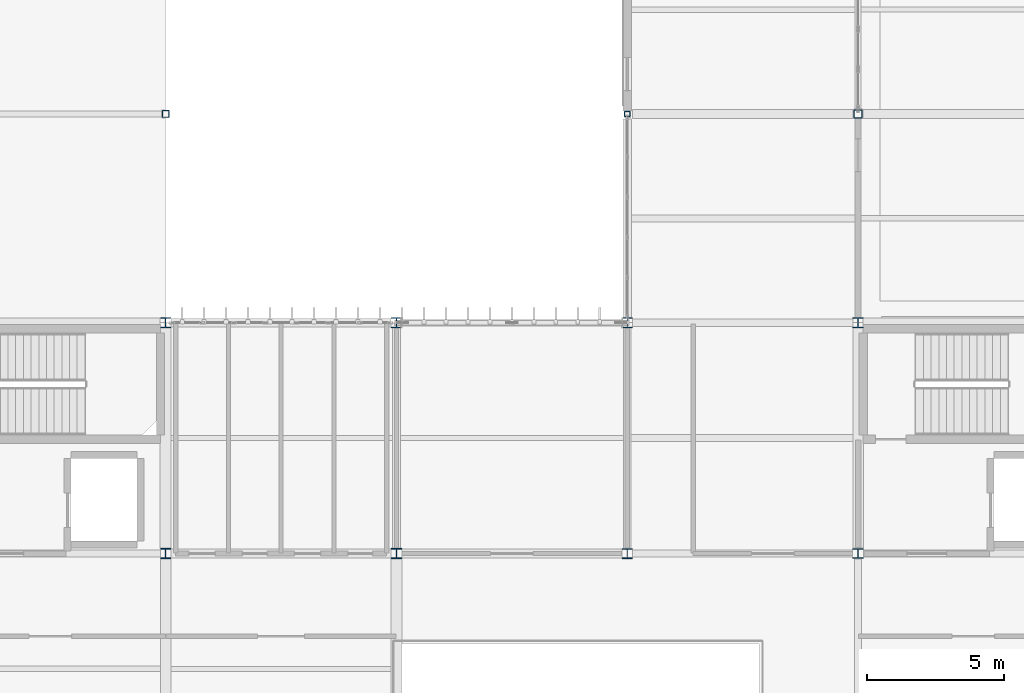
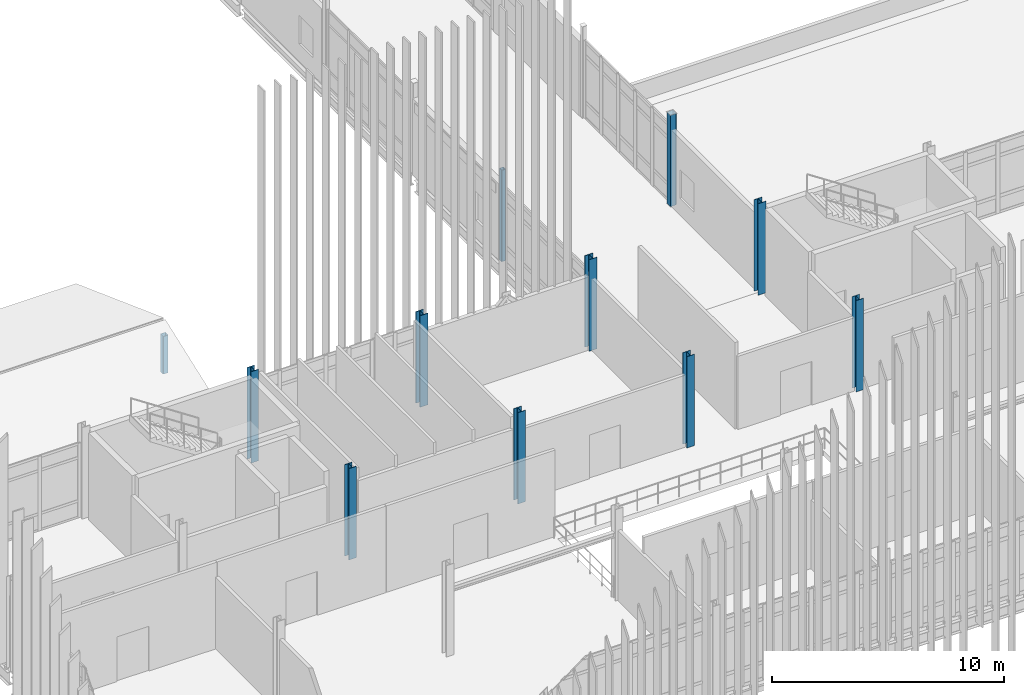
# One storey, part 3 of 153: 11 columns.
"""IFC4 building model written with IfcOpenShell, lengths in metres."""

from ifc_helpers import new_model, si_unit, direction, frame, origin, origin_2d, place, context, subcontext, project, spatial, hollow_rectangle, i_section, extrude, material, material_profile, profile_set, type_object, element, save


model = new_model("IFC4")

# Units and contexts
model_context = context("Model", 3, precision=1e-05, world=origin(), true_north=direction((0.0, 1.0)))
body_context = subcontext(model_context, "Body", "Model", "MODEL_VIEW")
ifc_project = project(units=[si_unit("LENGTHUNIT", "METRE"), si_unit("AREAUNIT", "SQUARE_METRE"), si_unit("VOLUMEUNIT", "CUBIC_METRE"), si_unit("PLANEANGLEUNIT", "RADIAN"), si_unit("MASSUNIT", "GRAM", prefix="KILO")], contexts=[model_context])

# Site, building, storey
site_placement = place(None, origin())
site = spatial("IfcSite", under=ifc_project, at=site_placement, CompositionType="ELEMENT")
building_placement = place(site_placement, origin())
building = spatial("IfcBuilding", under=site, at=building_placement, Name="Calvrana Isthmian Art Gallery", CompositionType="ELEMENT")
storey_placement = place(building_placement, frame((0.0, 0.0, 10.199951171875)))
storey = spatial("IfcBuildingStorey", under=building, at=storey_placement, Name="L02", CompositionType="ELEMENT", Elevation=10.199951171875)

# Columns
ifc_material_1 = material(Name="Steel ASTM A500 Gr C", Category="steel")
ifc_material_profile_1 = material_profile(ifc_material_1, hollow_rectangle(XDim=0.203125, YDim=0.203125, WallThickness=0.0126953125, OuterFilletRadius=0.02490234375, at=origin_2d()), Name="HSS203X203X12.7")
ifc_profile_set_1 = profile_set([ifc_material_profile_1], Name="Steel ASTM A500 Gr C")
column_type_1 = type_object("IfcColumnType", Name="COL-STL-HSS203X203X12.7", PredefinedType="COLUMN", material=ifc_profile_set_1)
column_1_placement = place(storey_placement, frame((55.199951171875, 54.39990234375, 0.0), z_axis=(0.0, 0.0, 1.0), x_axis=(1.0, 0.0, 0.0)))
element("IfcColumn", 1, at=column_1_placement, inside=storey, type_object=column_type_1, Name="Column 08/H L02", PredefinedType="COLUMN", context=body_context, shape_type="SweptSolid", body=[
    extrude(hollow_rectangle(XDim=0.203125, YDim=0.203125, WallThickness=0.0126953125, OuterFilletRadius=0.02490234375, at=origin_2d()), origin(), (0.0, 0.0, 1.0), 4.800048828125),
])
ifc_material_profile_2 = material_profile(ifc_material_1, hollow_rectangle(XDim=0.25390625, YDim=0.25390625, WallThickness=0.0126953125, OuterFilletRadius=0.02490234375, at=origin_2d()), Name="HSS254X254X12.7")
ifc_profile_set_2 = profile_set([ifc_material_profile_2], Name="Steel ASTM A500 Gr C")
column_type_2 = type_object("IfcColumnType", Name="COL-STL-HSS254X254X12.7", PredefinedType="COLUMN", material=ifc_profile_set_2)
column_2_placement = place(storey_placement, frame((38.39990234375, 54.39990234375, 0.0), z_axis=(0.0, 0.0, 1.0), x_axis=(1.0, 0.0, 0.0)))
element("IfcColumn", 2, at=column_2_placement, inside=storey, type_object=column_type_2, Name="Roof ridge post L02-6", PredefinedType="COLUMN", context=body_context, shape_type="SweptSolid", body=[
    extrude(hollow_rectangle(XDim=0.25390625, YDim=0.25390625, WallThickness=0.0126953125, OuterFilletRadius=0.02490234375, at=origin_2d()), origin(), (0.0, 0.0, 1.0), 1.97998046875),
])
ifc_material_profile_3 = material_profile(ifc_material_1, hollow_rectangle(XDim=0.3046875, YDim=0.3046875, WallThickness=0.015869140625, OuterFilletRadius=0.031982421875, at=origin_2d()), Name="HSS305X305X15.9")
ifc_profile_set_3 = profile_set([ifc_material_profile_3], Name="Steel ASTM A500 Gr C")
column_type_3 = type_object("IfcColumnType", Name="COL-STL-HSS305X305X15.9", PredefinedType="COLUMN", material=ifc_profile_set_3)
column_3_placement = place(storey_placement, frame((63.60009765625, 54.39990234375, 0.0), z_axis=(0.0, 0.0, 1.0), x_axis=(1.0, 0.0, 0.0)))
element("IfcColumn", 3, at=column_3_placement, inside=storey, type_object=column_type_3, Name="Column 09/H L02", PredefinedType="COLUMN", context=body_context, shape_type="SweptSolid", body=[
    extrude(hollow_rectangle(XDim=0.3046875, YDim=0.3046875, WallThickness=0.015869140625, OuterFilletRadius=0.031982421875, at=origin_2d()), origin(), (0.0, 0.0, 1.0), 4.800048828125),
])
ifc_material_2 = material(Name="Steel ASTM A992 Gr 50", Category="steel")
ifc_material_profile_4 = material_profile(ifc_material_2, i_section(OverallWidth=0.37109375, OverallDepth=0.363037109375, WebThickness=0.01318359375, FlangeThickness=0.021728515625, FilletRadius=0.02490234375, at=origin_2d()), Name="W14X109")
ifc_profile_set_4 = profile_set([ifc_material_profile_4], Name="Steel ASTM A992 Gr 50")
column_type_4 = type_object("IfcColumnType", Name="COL-STL-W14X109", PredefinedType="COLUMN", material=ifc_profile_set_4)
column_4_placement = place(storey_placement, frame((55.199951171875, 38.39990234375, 0.0), z_axis=(0.0, 0.0, 1.0), x_axis=(1.0, 0.0, 0.0)))
element("IfcColumn", 4, at=column_4_placement, inside=storey, type_object=column_type_4, Name="Column 08/F L02", PredefinedType="COLUMN", context=body_context, shape_type="SweptSolid", body=[
    extrude(i_section(OverallWidth=0.37109375, OverallDepth=0.363037109375, WebThickness=0.01318359375, FlangeThickness=0.021728515625, FilletRadius=0.02490234375, at=origin_2d()), origin(), (0.0, 0.0, 1.0), 4.800048828125),
])
ifc_material_profile_5 = material_profile(ifc_material_2, i_section(OverallWidth=0.373046875, OverallDepth=0.367919921875, WebThickness=0.014892578125, FlangeThickness=0.02392578125, FilletRadius=0.02490234375, at=origin_2d()), Name="W14X120")
ifc_profile_set_5 = profile_set([ifc_material_profile_5], Name="Steel ASTM A992 Gr 50")
column_type_5 = type_object("IfcColumnType", Name="COL-STL-W14X120", PredefinedType="COLUMN", material=ifc_profile_set_5)
column_5_placement = place(storey_placement, frame((46.800048828125, 38.39990234375, 0.0), z_axis=(0.0, 0.0, 1.0), x_axis=(1.0, 0.0, 0.0)))
element("IfcColumn", 5, at=column_5_placement, inside=storey, type_object=column_type_5, Name="Column 07/F L02", PredefinedType="COLUMN", context=body_context, shape_type="SweptSolid", body=[
    extrude(i_section(OverallWidth=0.373046875, OverallDepth=0.367919921875, WebThickness=0.014892578125, FlangeThickness=0.02392578125, FilletRadius=0.02490234375, at=origin_2d()), origin(), (0.0, 0.0, 1.0), 4.800048828125),
])
ifc_material_profile_6 = material_profile(ifc_material_2, i_section(OverallWidth=0.373046875, OverallDepth=0.373046875, WebThickness=0.016357421875, FlangeThickness=0.026123046875, FilletRadius=0.02490234375, at=origin_2d()), Name="W14X132")
ifc_profile_set_6 = profile_set([ifc_material_profile_6], Name="Steel ASTM A992 Gr 50")
column_type_6 = type_object("IfcColumnType", Name="COL-STL-W14X132", PredefinedType="COLUMN", material=ifc_profile_set_6)
for number, where, z_axis, x_axis, name in (
    (6, (38.39990234375, 38.39990234375, 0.0), (0.0, 0.0, 1.0), (1.0, 0.0, 0.0), "Column 06/F L02"),
    (7, (38.39990234375, 46.800048828125, 0.0), (0.0, 0.0, 1.0), (1.0, 0.0, 0.0), "Column 06/G L02"),
):
    element("IfcColumn", number, at=place(storey_placement, frame(where, z_axis=z_axis, x_axis=x_axis)), inside=storey, type_object=column_type_6, Name=name, PredefinedType="COLUMN", context=body_context, shape_type="SweptSolid", body=[
        extrude(i_section(OverallWidth=0.373046875, OverallDepth=0.373046875, WebThickness=0.016357421875, FlangeThickness=0.026123046875, FilletRadius=0.02490234375, at=origin_2d()), origin(), (0.0, 0.0, 1.0), 4.800048828125),
    ])
ifc_material_profile_7 = material_profile(ifc_material_2, i_section(OverallWidth=0.39404296875, OverallDepth=0.3759765625, WebThickness=0.017333984375, FlangeThickness=0.027587890625, FilletRadius=0.02490234375, at=origin_2d()), Name="W14X145")
ifc_profile_set_7 = profile_set([ifc_material_profile_7], Name="Steel ASTM A992 Gr 50")
column_type_7 = type_object("IfcColumnType", Name="COL-STL-W14X145", PredefinedType="COLUMN", material=ifc_profile_set_7)
column_6_placement = place(storey_placement, frame((63.60009765625, 46.800048828125, 0.0), z_axis=(0.0, 0.0, 1.0), x_axis=(1.0, 0.0, 0.0)))
element("IfcColumn", 8, at=column_6_placement, inside=storey, type_object=column_type_7, Name="Column 09/G L02", PredefinedType="COLUMN", context=body_context, shape_type="SweptSolid", body=[
    extrude(i_section(OverallWidth=0.39404296875, OverallDepth=0.3759765625, WebThickness=0.017333984375, FlangeThickness=0.027587890625, FilletRadius=0.02490234375, at=origin_2d()), origin(), (0.0, 0.0, 1.0), 4.800048828125),
])
ifc_material_profile_8 = material_profile(ifc_material_2, i_section(OverallWidth=0.39599609375, OverallDepth=0.381103515625, WebThickness=0.018798828125, FlangeThickness=0.0302734375, FilletRadius=0.02490234375, at=origin_2d()), Name="W14X159")
ifc_profile_set_8 = profile_set([ifc_material_profile_8], Name="Steel ASTM A992 Gr 50")
column_type_8 = type_object("IfcColumnType", Name="COL-STL-W14X159", PredefinedType="COLUMN", material=ifc_profile_set_8)
column_7_placement = place(storey_placement, frame((55.199951171875, 46.800048828125, 0.0), z_axis=(0.0, 0.0, 1.0), x_axis=(1.0, 0.0, 0.0)))
element("IfcColumn", 9, at=column_7_placement, inside=storey, type_object=column_type_8, Name="Column 08/G L02", PredefinedType="COLUMN", context=body_context, shape_type="SweptSolid", body=[
    extrude(i_section(OverallWidth=0.39599609375, OverallDepth=0.381103515625, WebThickness=0.018798828125, FlangeThickness=0.0302734375, FilletRadius=0.02490234375, at=origin_2d()), origin(), (0.0, 0.0, 1.0), 4.800048828125),
])
ifc_material_profile_9 = material_profile(ifc_material_2, i_section(OverallWidth=0.39892578125, OverallDepth=0.385986328125, WebThickness=0.02099609375, FlangeThickness=0.033203125, FilletRadius=0.02490234375, at=origin_2d()), Name="W14X176")
ifc_profile_set_9 = profile_set([ifc_material_profile_9], Name="Steel ASTM A992 Gr 50")
column_type_9 = type_object("IfcColumnType", Name="COL-STL-W14X176", PredefinedType="COLUMN", material=ifc_profile_set_9)
column_8_placement = place(storey_placement, frame((46.800048828125, 46.800048828125, 0.0), z_axis=(0.0, 0.0, 1.0), x_axis=(1.0, 0.0, 0.0)))
element("IfcColumn", 10, at=column_8_placement, inside=storey, type_object=column_type_9, Name="Column 07/G L02", PredefinedType="COLUMN", context=body_context, shape_type="SweptSolid", body=[
    extrude(i_section(OverallWidth=0.39892578125, OverallDepth=0.385986328125, WebThickness=0.02099609375, FlangeThickness=0.033203125, FilletRadius=0.02490234375, at=origin_2d()), origin(), (0.0, 0.0, 1.0), 4.800048828125),
])
ifc_material_profile_10 = material_profile(ifc_material_2, i_section(OverallWidth=0.367919921875, OverallDepth=0.35595703125, WebThickness=0.01123046875, FlangeThickness=0.01806640625, FilletRadius=0.02490234375, at=origin_2d()), Name="W14X90")
ifc_profile_set_10 = profile_set([ifc_material_profile_10], Name="Steel ASTM A992 Gr 50")
column_type_10 = type_object("IfcColumnType", Name="COL-STL-W14X90", PredefinedType="COLUMN", material=ifc_profile_set_10)
column_9_placement = place(storey_placement, frame((63.60009765625, 38.39990234375, 0.0), z_axis=(0.0, 0.0, 1.0), x_axis=(1.0, 0.0, 0.0)))
element("IfcColumn", 11, at=column_9_placement, inside=storey, type_object=column_type_10, Name="Column 09/F L02", PredefinedType="COLUMN", context=body_context, shape_type="SweptSolid", body=[
    extrude(i_section(OverallWidth=0.367919921875, OverallDepth=0.35595703125, WebThickness=0.01123046875, FlangeThickness=0.01806640625, FilletRadius=0.02490234375, at=origin_2d()), origin(), (0.0, 0.0, 1.0), 4.800048828125),
])

save(model, "model.ifc")
